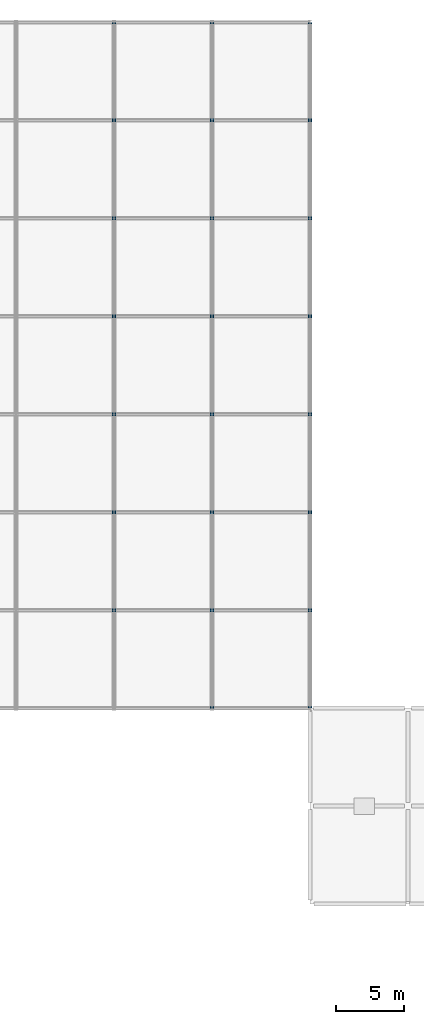
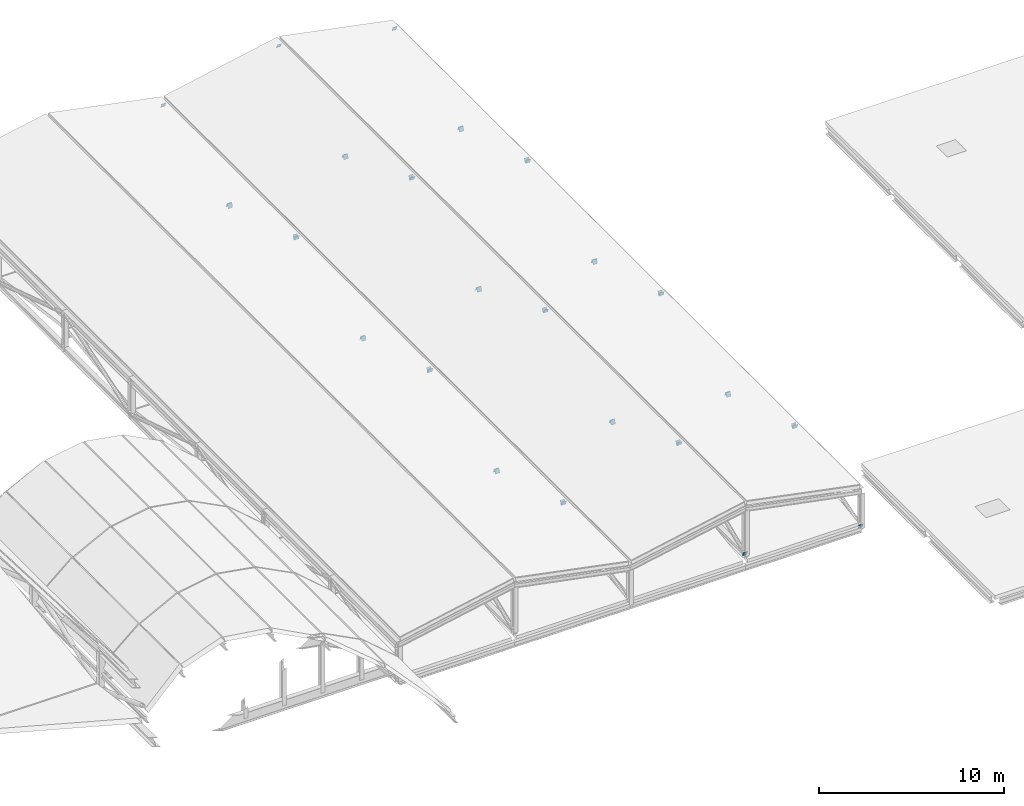
# One storey, part 57 of 60: 41 plates.
"""IFC4 building model written with IfcOpenShell, lengths in metres."""

from ifc_helpers import new_model, si_unit, direction, frame, origin, origin_2d, place, context, subcontext, project, spatial, rectangle, extrude, material, layer, layer_set, type_object, element, save


model = new_model("IFC4")

# Units and contexts
model_context = context("Model", 3, precision=1e-05, world=origin(), true_north=direction((0.0, 1.0)))
body_context = subcontext(model_context, "Body", "Model", "MODEL_VIEW")
ifc_project = project(units=[si_unit("LENGTHUNIT", "METRE"), si_unit("AREAUNIT", "SQUARE_METRE"), si_unit("VOLUMEUNIT", "CUBIC_METRE"), si_unit("PLANEANGLEUNIT", "RADIAN"), si_unit("MASSUNIT", "GRAM", prefix="KILO")], contexts=[model_context])

# Site, building, storey
site_placement = place(None, origin())
site = spatial("IfcSite", under=ifc_project, at=site_placement, CompositionType="ELEMENT")
building_placement = place(site_placement, origin())
building = spatial("IfcBuilding", under=site, at=building_placement, Name="Vesperath Aquatics Centre", CompositionType="ELEMENT")
storey_placement = place(building_placement, frame((0.0, 0.0, 27.60009765625)))
storey = spatial("IfcBuildingStorey", under=building, at=storey_placement, Name="RF", CompositionType="ELEMENT", Elevation=27.60009765625)

# Plates
ifc_material = material(Name="Steel Q355D", Category="steel")
ifc_layer = layer(ifc_material, 0.01806640625)
ifc_layer_set = layer_set([ifc_layer], Name="Steel Q355D")
plate_type = type_object("IfcPlateType", Name="PT-TN03", PredefinedType="SHEET", material=ifc_layer_set)
for number, where, z_axis, x_axis, name in (
    (1, (129.60009765625, 71.923828125, -10.224365234375), (0.0, 0.952577642985, 0.304295635995), (-1.0, 0.0, 0.0), "Truss Node Cap Plate TN03"),
    (2, (129.60009765625, 72.05908203125, -10.218994140625), (0.0, 0.952577642985, -0.304295635995), (-1.0, 0.0, 0.0), "Truss Node Cap Plate TN03"),
    (3, (129.60009765625, 79.123779296875, -12.475830078125), (0.0, 0.952577642985, -0.304295635995), (-1.0, 0.0, 0.0), "Truss Node Cap Plate TN03"),
    (4, (129.60009765625, 79.259033203125, -12.481201171875), (0.0, 0.952577642985, 0.304295635995), (-1.0, 0.0, 0.0), "Truss Node Cap Plate TN03"),
    (5, (129.60009765625, 86.32373046875, -10.224365234375), (0.0, 0.952577642985, 0.304295635995), (-1.0, 0.0, 0.0), "Truss Node Cap Plate TN03"),
    (6, (129.60009765625, 86.458984375, -10.218994140625), (0.0, 0.952577642985, -0.304295635995), (-1.0, 0.0, 0.0), "Truss Node Cap Plate TN03"),
    (7, (129.60009765625, 93.52392578125, -12.475830078125), (0.0, 0.952577642985, -0.304295635995), (-1.0, 0.0, 0.0), "Truss Node Cap Plate TN03"),
    (8, (129.60009765625, 93.6591796875, -12.481201171875), (0.0, 0.952577642985, 0.304295635995), (-1.0, 0.0, 0.0), "Truss Node Cap Plate TN03"),
    (9, (129.60009765625, 100.723876953125, -10.224365234375), (0.0, 0.952577642985, 0.304295635995), (-1.0, 0.0, 0.0), "Truss Node Cap Plate TN03"),
    (10, (129.60009765625, 100.859130859375, -10.218994140625), (0.0, 0.952577642985, -0.304295635995), (-1.0, 0.0, 0.0), "Truss Node Cap Plate TN03"),
    (11, (129.60009765625, 107.923828125, -12.475830078125), (0.0, 0.952577642985, -0.304295635995), (-1.0, 0.0, 0.0), "Truss Node Cap Plate TN03"),
    (12, (129.60009765625, 108.05908203125, -12.481201171875), (0.0, 0.952577642985, 0.304295635995), (-1.0, 0.0, 0.0), "Truss Node Cap Plate TN03"),
    (13, (129.60009765625, 115.123779296875, -10.224365234375), (0.0, 0.952577642985, 0.304295635995), (-1.0, 0.0, 0.0), "Truss Node Cap Plate TN03"),
    (14, (136.800048828125, 64.857177734375, -11.776123046875), (0.0, 0.923076922929, 0.38461538497), (-1.0, 0.0, 0.0), "Truss Node Cap Plate TN03"),
    (15, (136.800048828125, 71.92626953125, -8.830810546875), (0.0, 0.923076922929, 0.38461538497), (-1.0, 0.0, 0.0), "Truss Node Cap Plate TN03"),
    (16, (136.800048828125, 72.05712890625, -8.823974609375), (0.0, 0.923076922929, -0.38461538497), (-1.0, 0.0, 0.0), "Truss Node Cap Plate TN03"),
    (17, (136.800048828125, 79.126220703125, -11.769287109375), (0.0, 0.923076922929, -0.38461538497), (-1.0, 0.0, 0.0), "Truss Node Cap Plate TN03"),
    (18, (136.800048828125, 79.25732421875, -11.776123046875), (0.0, 0.923076922929, 0.38461538497), (-1.0, 0.0, 0.0), "Truss Node Cap Plate TN03"),
    (19, (136.800048828125, 86.326171875, -8.830810546875), (0.0, 0.923076922929, 0.38461538497), (-1.0, 0.0, 0.0), "Truss Node Cap Plate TN03"),
    (20, (136.800048828125, 86.457275390625, -8.823974609375), (0.0, 0.923076922929, -0.38461538497), (-1.0, 0.0, 0.0), "Truss Node Cap Plate TN03"),
    (21, (136.800048828125, 93.526123046875, -11.769287109375), (0.0, 0.923076922929, -0.38461538497), (-1.0, 0.0, 0.0), "Truss Node Cap Plate TN03"),
    (22, (136.800048828125, 93.6572265625, -11.776123046875), (0.0, 0.923076922929, 0.38461538497), (-1.0, 0.0, 0.0), "Truss Node Cap Plate TN03"),
    (23, (136.800048828125, 100.72607421875, -8.830810546875), (0.0, 0.923076922929, 0.38461538497), (-1.0, 0.0, 0.0), "Truss Node Cap Plate TN03"),
    (24, (136.800048828125, 100.857177734375, -8.823974609375), (0.0, 0.923076922929, -0.38461538497), (-1.0, 0.0, 0.0), "Truss Node Cap Plate TN03"),
    (25, (136.800048828125, 107.92626953125, -11.769287109375), (0.0, 0.923076922929, -0.38461538497), (-1.0, 0.0, 0.0), "Truss Node Cap Plate TN03"),
    (26, (136.800048828125, 108.05712890625, -11.776123046875), (0.0, 0.923076922929, 0.38461538497), (-1.0, 0.0, 0.0), "Truss Node Cap Plate TN03"),
    (27, (136.800048828125, 115.126220703125, -8.830810546875), (0.0, 0.923076922929, 0.38461538497), (-1.0, 0.0, 0.0), "Truss Node Cap Plate TN03"),
    (28, (144.0, 64.859130859375, -12.481201171875), (0.0, 0.952577642985, 0.304295635995), (-1.0, 0.0, 0.0), "Truss Node Cap Plate TN03"),
    (29, (144.0, 71.923828125, -10.224365234375), (0.0, 0.952577642985, 0.304295635995), (-1.0, 0.0, 0.0), "Truss Node Cap Plate TN03"),
    (30, (144.0, 72.05908203125, -10.218994140625), (0.0, 0.952577642985, -0.304295635995), (-1.0, 0.0, 0.0), "Truss Node Cap Plate TN03"),
    (31, (144.0, 79.123779296875, -12.475830078125), (0.0, 0.952577642985, -0.304295635995), (-1.0, 0.0, 0.0), "Truss Node Cap Plate TN03"),
    (32, (144.0, 79.259033203125, -12.481201171875), (0.0, 0.952577642985, 0.304295635995), (-1.0, 0.0, 0.0), "Truss Node Cap Plate TN03"),
    (33, (144.0, 86.32373046875, -10.224365234375), (0.0, 0.952577642985, 0.304295635995), (-1.0, 0.0, 0.0), "Truss Node Cap Plate TN03"),
    (34, (144.0, 86.458984375, -10.218994140625), (0.0, 0.952577642985, -0.304295635995), (-1.0, 0.0, 0.0), "Truss Node Cap Plate TN03"),
    (35, (144.0, 93.52392578125, -12.475830078125), (0.0, 0.952577642985, -0.304295635995), (-1.0, 0.0, 0.0), "Truss Node Cap Plate TN03"),
    (36, (144.0, 93.6591796875, -12.481201171875), (0.0, 0.952577642985, 0.304295635995), (-1.0, 0.0, 0.0), "Truss Node Cap Plate TN03"),
    (37, (144.0, 100.723876953125, -10.224365234375), (0.0, 0.952577642985, 0.304295635995), (-1.0, 0.0, 0.0), "Truss Node Cap Plate TN03"),
    (38, (144.0, 100.859130859375, -10.218994140625), (0.0, 0.952577642985, -0.304295635995), (-1.0, 0.0, 0.0), "Truss Node Cap Plate TN03"),
    (39, (144.0, 107.923828125, -12.475830078125), (0.0, 0.952577642985, -0.304295635995), (-1.0, 0.0, 0.0), "Truss Node Cap Plate TN03"),
    (40, (144.0, 108.05908203125, -12.481201171875), (0.0, 0.952577642985, 0.304295635995), (-1.0, 0.0, 0.0), "Truss Node Cap Plate TN03"),
    (41, (144.0, 115.123779296875, -10.224365234375), (0.0, 0.952577642985, 0.304295635995), (-1.0, 0.0, 0.0), "Truss Node Cap Plate TN03"),
):
    element("IfcPlate", number, at=place(storey_placement, frame(where, z_axis=z_axis, x_axis=x_axis)), inside=storey, type_object=plate_type, Name=name, PredefinedType="SHEET", context=body_context, shape_type="SweptSolid", body=[
        extrude(rectangle(XDim=0.280029296875, YDim=0.280029296875, at=origin_2d()), origin(), (0.0, 0.0, 1.0), 0.01806640625),
    ])

save(model, "model.ifc")
